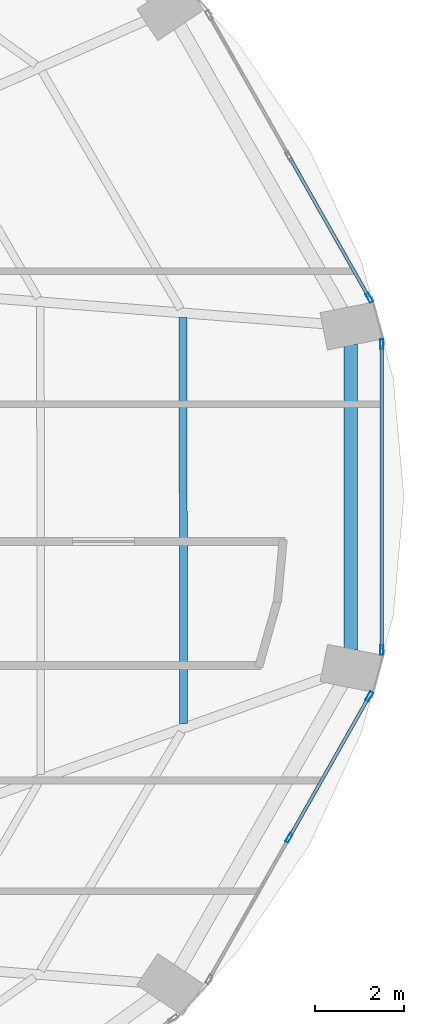
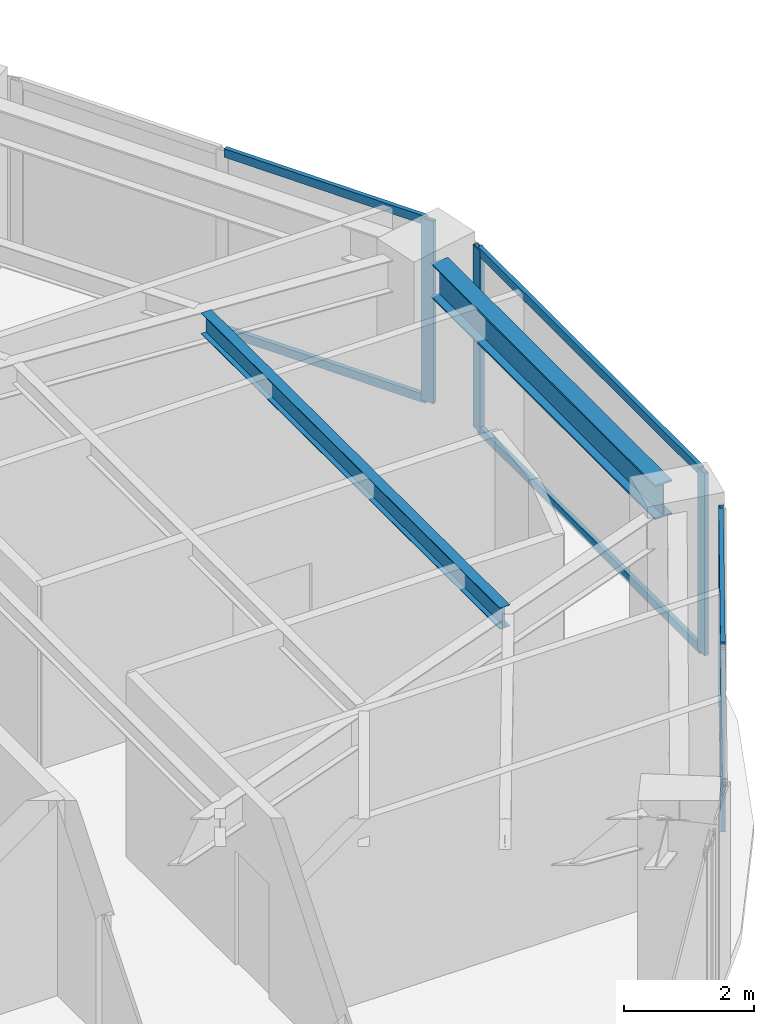
# One storey, part 12 of 24: 11 members, 2 beams, 3 elements without a shape of their own.
"""IFC4 building model written with IfcOpenShell, lengths in metres."""

from ifc_helpers import new_model, si_unit, direction, frame, origin, origin_2d, place, context, subcontext, project, spatial, hollow_rectangle, i_section, extrude, material, layer, layer_set, material_profile, profile_set, type_object, element, aggregate, save


model = new_model("IFC4")

# Units and contexts
model_context = context("Model", 3, precision=1e-05, world=origin(), true_north=direction((0.0, 1.0)))
body_context = subcontext(model_context, "Body", "Model", "MODEL_VIEW")
ifc_project = project(units=[si_unit("LENGTHUNIT", "METRE"), si_unit("AREAUNIT", "SQUARE_METRE"), si_unit("VOLUMEUNIT", "CUBIC_METRE"), si_unit("PLANEANGLEUNIT", "RADIAN"), si_unit("MASSUNIT", "GRAM", prefix="KILO")], contexts=[model_context])

# Site, building, storey
site_placement = place(None, origin())
site = spatial("IfcSite", under=ifc_project, at=site_placement, CompositionType="ELEMENT")
building_placement = place(site_placement, origin())
building = spatial("IfcBuilding", under=site, at=building_placement, Name="Lazwardi Medical Tower", CompositionType="ELEMENT")
storey_placement = place(building_placement, frame((0.0, 0.0, 54.384033203125)))
storey = spatial("IfcBuildingStorey", under=building, at=storey_placement, Name="L13", CompositionType="ELEMENT", Elevation=54.384033203125)

# Beams
ifc_material_1 = material(Name="Steel S355", Category="steel")
ifc_material_profile_1 = material_profile(ifc_material_1, i_section(OverallWidth=0.300048828125, OverallDepth=0.64990234375, WebThickness=0.01611328125, FlangeThickness=0.031005859375, at=origin_2d()), Name="HEB 650")
ifc_profile_set_1 = profile_set([ifc_material_profile_1], Name="Steel S355")
beam_type_1 = type_object("IfcBeamType", Name="BM-RB-Z1", PredefinedType="BEAM", material=ifc_profile_set_1)
beam_1_placement = place(storey_placement, frame((62.800048828125, 26.952392578125, 3.10302734375), z_axis=(0.0, 1.0, 0.0), x_axis=(-1.0, 0.0, 0.0)))
element("IfcBeam", 1, at=beam_1_placement, inside=storey, type_object=beam_type_1, Name="Ring beam RB-02 B04 L13", PredefinedType="BEAM", context=body_context, shape_type="SweptSolid", body=[
    extrude(i_section(OverallWidth=0.300048828125, OverallDepth=0.64990234375, WebThickness=0.01611328125, FlangeThickness=0.031005859375, at=origin_2d()), origin(), (0.0, 0.0, 1.0), 6.895263671875),
])
ifc_material_profile_2 = material_profile(ifc_material_1, i_section(OverallWidth=0.179931640625, OverallDepth=0.39990234375, WebThickness=0.008544921875, FlangeThickness=0.013427734375, at=origin_2d()), Name="IPE 400")
ifc_profile_set_2 = profile_set([ifc_material_profile_2], Name="Steel S355")
beam_type_2 = type_object("IfcBeamType", Name="BM-SJ-01", PredefinedType="JOIST", material=ifc_profile_set_2)
beam_2_placement = place(storey_placement, frame((59.0234375, 25.291015625, 3.22802734375), z_axis=(-0.002077613181, 0.999997841759, 0.0), x_axis=(-0.999997841759, -0.002077613181, 0.0)))
element("IfcBeam", 2, at=beam_2_placement, inside=storey, type_object=beam_type_2, Name="Secondary joist SJ-01 R1 B04 L13", PredefinedType="JOIST", context=body_context, shape_type="SweptSolid", body=[
    extrude(i_section(OverallWidth=0.179931640625, OverallDepth=0.39990234375, WebThickness=0.008544921875, FlangeThickness=0.013427734375, at=origin_2d()), origin(), (0.0, 0.0, 1.0), 9.165771484375),
])

# Curtain wall, members
ifc_material_2 = material(Name="Anodised bronze aluminium and solar control glazing", Category="aluminium")
ifc_layer = layer(ifc_material_2, 0.199951171875)
ifc_layer_set = layer_set([ifc_layer], Name="Anodised bronze aluminium and solar control glazing")
curtain_wall_type = type_object("IfcCurtainWallType", Name="CW-SYS-02", PredefinedType="NOTDEFINED", material=ifc_layer_set)
curtain_wall_1_placement = place(storey_placement, origin())
curtain_wall_1 = element("IfcCurtainWall", 3, at=curtain_wall_1_placement, inside=storey, type_object=curtain_wall_type, Name="L13 Unitised bronze curtain wall CW-02", PredefinedType="NOTDEFINED")
ifc_material_3 = material(Name="Anodised bronze aluminium", Category="aluminium")
ifc_material_profile_3 = material_profile(ifc_material_3, hollow_rectangle(XDim=0.074951171875, YDim=0.219970703125, WallThickness=0.00390625, at=origin_2d()), Name="ALU-MULLION 220x75x4")
ifc_profile_set_3 = profile_set([ifc_material_profile_3], Name="Anodised bronze aluminium")
member_type_1 = type_object("IfcMemberType", Name="CW-MUL-01", PredefinedType="MULLION", material=ifc_profile_set_3)
member_1_placement = place(storey_placement, frame((61.4052734375, 22.70458984375, 0.0), z_axis=(0.0, 0.0, 1.0), x_axis=(-0.870111838823, 0.492854327303, 0.0)))
member_1 = element("IfcMember", 4, at=member_1_placement, type_object=member_type_1, Name="CW-02 mullion 2", PredefinedType="MULLION", context=body_context, shape_type="SweptSolid", body=[
    extrude(hollow_rectangle(XDim=0.074951171875, YDim=0.219970703125, WallThickness=0.00390625, at=origin_2d()), origin(), (0.0, 0.0, 1.0), 3.427978515625),
])
member_2_placement = place(storey_placement, frame((63.214111328125, 25.897705078125, 0.0), z_axis=(0.0, 0.0, 1.0), x_axis=(-0.870111838823, 0.492854327303, 0.0)))
member_2 = element("IfcMember", 5, at=member_2_placement, type_object=member_type_1, Name="CW-02 mullion 3", PredefinedType="MULLION", context=body_context, shape_type="SweptSolid", body=[
    extrude(hollow_rectangle(XDim=0.074951171875, YDim=0.219970703125, WallThickness=0.00390625, at=origin_2d()), origin(), (0.0, 0.0, 1.0), 3.427978515625),
])

curtain_wall_2_placement = place(storey_placement, origin())
curtain_wall_2 = element("IfcCurtainWall", 6, at=curtain_wall_2_placement, inside=storey, type_object=curtain_wall_type, Name="L13 Unitised bronze curtain wall CW-02", PredefinedType="NOTDEFINED")
member_3_placement = place(storey_placement, frame((63.49853515625, 26.946044921875, 0.0), z_axis=(0.0, 0.0, 1.0), x_axis=(-1.0, 0.0, 0.0)))
member_3 = element("IfcMember", 7, at=member_3_placement, type_object=member_type_1, Name="CW-02 mullion 1", PredefinedType="MULLION", context=body_context, shape_type="SweptSolid", body=[
    extrude(hollow_rectangle(XDim=0.074951171875, YDim=0.219970703125, WallThickness=0.00390625, at=origin_2d()), origin(), (0.0, 0.0, 1.0), 3.427978515625),
])
member_4_placement = place(storey_placement, frame((63.49853515625, 33.85400390625, 0.0), z_axis=(0.0, 0.0, 1.0), x_axis=(-1.0, 0.0, 0.0)))
member_4 = element("IfcMember", 8, at=member_4_placement, type_object=member_type_1, Name="CW-02 mullion 2", PredefinedType="MULLION", context=body_context, shape_type="SweptSolid", body=[
    extrude(hollow_rectangle(XDim=0.074951171875, YDim=0.219970703125, WallThickness=0.00390625, at=origin_2d()), origin(), (0.0, 0.0, 1.0), 3.427978515625),
])

# Curtain wall, member
curtain_wall_3_placement = place(storey_placement, origin())
curtain_wall_3 = element("IfcCurtainWall", 9, at=curtain_wall_3_placement, inside=storey, type_object=curtain_wall_type, Name="L13 Unitised bronze curtain wall CW-02", PredefinedType="NOTDEFINED")
member_5_placement = place(storey_placement, frame((63.214111328125, 34.90234375, 0.0), z_axis=(0.0, 0.0, 1.0), x_axis=(-0.870111838823, -0.492854327303, 0.0)))
member_5 = element("IfcMember", 10, at=member_5_placement, type_object=member_type_1, Name="CW-02 mullion 1", PredefinedType="MULLION", context=body_context, shape_type="SweptSolid", body=[
    extrude(hollow_rectangle(XDim=0.074951171875, YDim=0.219970703125, WallThickness=0.00390625, at=origin_2d()), origin(), (0.0, 0.0, 1.0), 3.427978515625),
])

# Member
ifc_material_profile_4 = material_profile(ifc_material_3, hollow_rectangle(XDim=0.074951171875, YDim=0.159912109375, WallThickness=0.00390625, at=origin_2d()), Name="ALU-TRANSOM 160x75x4")
ifc_profile_set_4 = profile_set([ifc_material_profile_4], Name="Anodised bronze aluminium")
member_type_2 = type_object("IfcMemberType", Name="CW-TRN-01", PredefinedType="USERDEFINED", material=ifc_profile_set_4)
member_6_placement = place(storey_placement, frame((61.423828125, 22.737060546875, 0.037353515625), z_axis=(0.49285148925, 0.870113446365, 0.0), x_axis=(-0.870113446365, 0.49285148925, 0.0)))
member_6 = element("IfcMember", 11, at=member_6_placement, type_object=member_type_2, Name="CW-02 transom 2.1", ObjectType="TRANSOM", PredefinedType="USERDEFINED", context=body_context, shape_type="SweptSolid", body=[
    extrude(hollow_rectangle(XDim=0.074951171875, YDim=0.159912109375, WallThickness=0.00390625, at=origin_2d()), origin(), (0.0, 0.0, 1.0), 3.594970703125),
])

member_7_placement = place(storey_placement, frame((61.423828125, 22.737060546875, 3.390380859375), z_axis=(0.49285148925, 0.870113446365, 0.0), x_axis=(-0.870113446365, 0.49285148925, 0.0)))
member_7 = element("IfcMember", 12, at=member_7_placement, type_object=member_type_2, Name="CW-02 transom 2.2", ObjectType="TRANSOM", PredefinedType="USERDEFINED", context=body_context, shape_type="SweptSolid", body=[
    extrude(hollow_rectangle(XDim=0.074951171875, YDim=0.159912109375, WallThickness=0.00390625, at=origin_2d()), origin(), (0.0, 0.0, 1.0), 3.594970703125),
])

aggregate(curtain_wall_1, [member_1, member_2, member_6, member_7])

member_8_placement = place(storey_placement, frame((63.49853515625, 26.9833984375, 0.037353515625), z_axis=(0.0, 1.0, 0.0), x_axis=(-1.0, 0.0, 0.0)))
member_8 = element("IfcMember", 13, at=member_8_placement, type_object=member_type_2, Name="CW-02 transom 1.1", ObjectType="TRANSOM", PredefinedType="USERDEFINED", context=body_context, shape_type="SweptSolid", body=[
    extrude(hollow_rectangle(XDim=0.074951171875, YDim=0.159912109375, WallThickness=0.00390625, at=origin_2d()), origin(), (0.0, 0.0, 1.0), 6.8330078125),
])

member_9_placement = place(storey_placement, frame((63.49853515625, 26.9833984375, 3.390380859375), z_axis=(0.0, 1.0, 0.0), x_axis=(-1.0, 0.0, 0.0)))
member_9 = element("IfcMember", 14, at=member_9_placement, type_object=member_type_2, Name="CW-02 transom 1.2", ObjectType="TRANSOM", PredefinedType="USERDEFINED", context=body_context, shape_type="SweptSolid", body=[
    extrude(hollow_rectangle(XDim=0.074951171875, YDim=0.159912109375, WallThickness=0.00390625, at=origin_2d()), origin(), (0.0, 0.0, 1.0), 6.8330078125),
])

aggregate(curtain_wall_2, [member_3, member_4, member_8, member_9])

member_10_placement = place(storey_placement, frame((63.195556640625, 34.93505859375, 0.037353515625), z_axis=(-0.492880614687, 0.870096948429, 0.0), x_axis=(-0.870096948429, -0.492880614687, 0.0)))
member_10 = element("IfcMember", 15, at=member_10_placement, type_object=member_type_2, Name="CW-02 transom 1.1", ObjectType="TRANSOM", PredefinedType="USERDEFINED", context=body_context, shape_type="SweptSolid", body=[
    extrude(hollow_rectangle(XDim=0.074951171875, YDim=0.159912109375, WallThickness=0.00390625, at=origin_2d()), origin(), (0.0, 0.0, 1.0), 3.5947265625),
])

member_11_placement = place(storey_placement, frame((63.195556640625, 34.93505859375, 3.390380859375), z_axis=(-0.492880614687, 0.870096948429, 0.0), x_axis=(-0.870096948429, -0.492880614687, 0.0)))
member_11 = element("IfcMember", 16, at=member_11_placement, type_object=member_type_2, Name="CW-02 transom 1.2", ObjectType="TRANSOM", PredefinedType="USERDEFINED", context=body_context, shape_type="SweptSolid", body=[
    extrude(hollow_rectangle(XDim=0.074951171875, YDim=0.159912109375, WallThickness=0.00390625, at=origin_2d()), origin(), (0.0, 0.0, 1.0), 3.5947265625),
])

aggregate(curtain_wall_3, [member_5, member_10, member_11])

save(model, "model.ifc")
